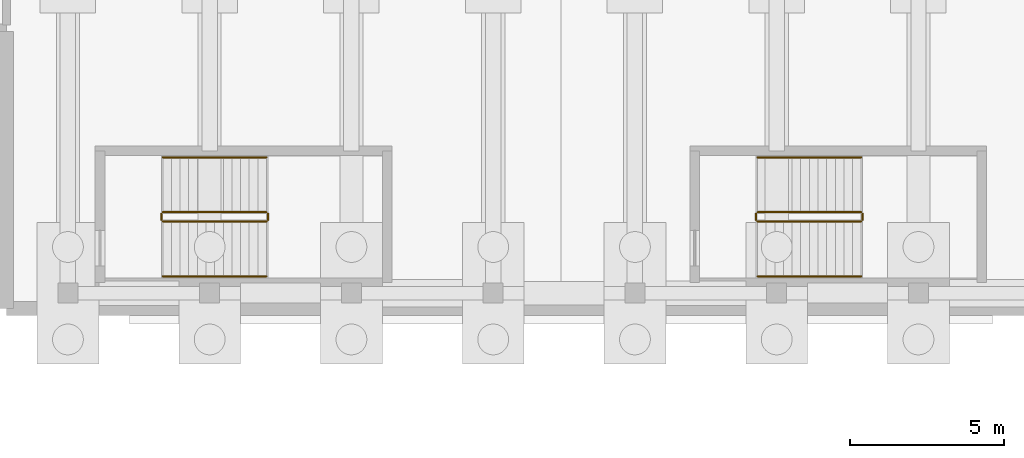
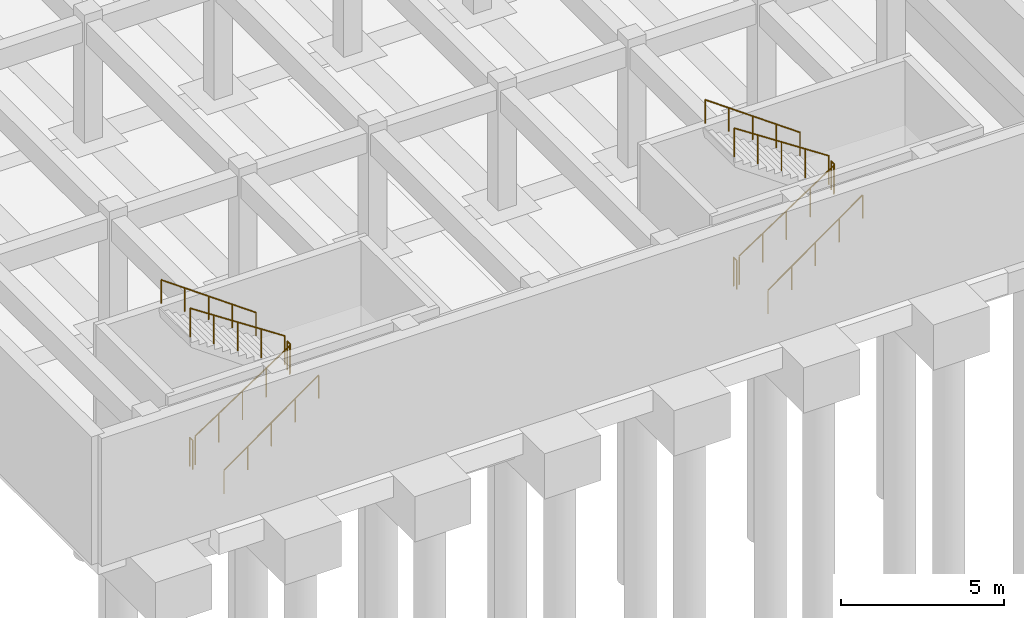
# One storey, part 46 of 48: 12 railings.
"""IFC4 building model written with IfcOpenShell, lengths in metres."""

from ifc_helpers import new_model, si_unit, direction, frame, origin, origin_2d, place, context, subcontext, project, spatial, circle, extrude, material, type_object, element, save


model = new_model("IFC4")

# Units and contexts
model_context = context("Model", 3, precision=1e-05, world=origin(), true_north=direction((0.0, 1.0)))
body_context = subcontext(model_context, "Body", "Model", "MODEL_VIEW")
ifc_project = project(units=[si_unit("LENGTHUNIT", "METRE"), si_unit("AREAUNIT", "SQUARE_METRE"), si_unit("VOLUMEUNIT", "CUBIC_METRE"), si_unit("PLANEANGLEUNIT", "RADIAN"), si_unit("MASSUNIT", "GRAM", prefix="KILO")], contexts=[model_context])

# Site, building, storey
site_placement = place(None, origin())
site = spatial("IfcSite", under=ifc_project, at=site_placement, CompositionType="ELEMENT")
building_placement = place(site_placement, origin())
building = spatial("IfcBuilding", under=site, at=building_placement, Name="Tlacozan Convention Centre", CompositionType="ELEMENT")
storey_placement = place(building_placement, frame((0.0, 0.0, -4.800048828125)))
storey = spatial("IfcBuildingStorey", under=building, at=storey_placement, Name="B01", CompositionType="ELEMENT", Elevation=-4.800048828125)

# Railings
ifc_material = material(Name="Architectural Painted Galvanised Steel Railing", Category="steel")
railing_type_1 = type_object("IfcRailingType", Name="Stair Wall Handrail 900", PredefinedType="HANDRAIL", material=ifc_material)
railing_1_placement = place(storey_placement, frame((168.3798828125, 19.050048828125, 0.1845703125)))
element("IfcRailing", 1, at=railing_1_placement, inside=storey, type_object=railing_type_1, Name="B01 ST-07 stair handrail 1", PredefinedType="HANDRAIL", context=body_context, shape_type="SweptSolid", body=[
    extrude(circle(Radius=0.02392578125, at=origin_2d()), frame((0.0, 0.0, 0.8759765625), z_axis=(0.813725481382, 0.0, 0.581249379312), x_axis=(0.0, 1.0, 0.0)), (0.0, 0.0, 1.0), 4.12939453125),
    extrude(circle(Radius=0.02099609375, at=origin_2d()), origin(), (0.0, 0.0, 1.0), 0.851806640625),
    extrude(circle(Radius=0.02099609375, at=origin_2d()), frame((0.840087890625, 0.0, 0.60009765625)), (0.0, 0.0, 1.0), 0.851806640625),
    extrude(circle(Radius=0.02099609375, at=origin_2d()), frame((1.68017578125, 0.0, 1.2001953125)), (0.0, 0.0, 1.0), 0.851806640625),
    extrude(circle(Radius=0.02099609375, at=origin_2d()), frame((2.52001953125, 0.0, 1.800048828125)), (0.0, 0.0, 1.0), 0.851806640625),
    extrude(circle(Radius=0.02099609375, at=origin_2d()), frame((3.360107421875, 0.0, 2.400146484375)), (0.0, 0.0, 1.0), 0.851806640625),
])
railing_2_placement = place(storey_placement, frame((171.739990234375, 22.909912109375, 2.584716796875)))
element("IfcRailing", 2, at=railing_2_placement, inside=storey, type_object=railing_type_1, Name="B01 ST-07 stair handrail 2", PredefinedType="HANDRAIL", context=body_context, shape_type="SweptSolid", body=[
    extrude(circle(Radius=0.02392578125, at=origin_2d()), frame((0.0, 0.0, 0.8759765625), z_axis=(-0.813753445783, 0.0, 0.581210228297), x_axis=(0.0, -1.0, 0.0)), (0.0, 0.0, 1.0), 4.129150390625),
    extrude(circle(Radius=0.02099609375, at=origin_2d()), origin(), (0.0, 0.0, 1.0), 0.851806640625),
    extrude(circle(Radius=0.02099609375, at=origin_2d()), frame((-0.840087890625, 0.0, 0.60009765625)), (0.0, 0.0, 1.0), 0.851806640625),
    extrude(circle(Radius=0.02099609375, at=origin_2d()), frame((-1.68017578125, 0.0, 1.199951171875)), (0.0, 0.0, 1.0), 0.851806640625),
    extrude(circle(Radius=0.02099609375, at=origin_2d()), frame((-2.52001953125, 0.0, 1.7998046875)), (0.0, 0.0, 1.0), 0.851806640625),
    extrude(circle(Radius=0.02099609375, at=origin_2d()), frame((-3.360107421875, 0.0, 2.39990234375)), (0.0, 0.0, 1.0), 0.851806640625),
])
railing_3_placement = place(storey_placement, frame((149.080078125, 19.050048828125, 0.1845703125)))
element("IfcRailing", 3, at=railing_3_placement, inside=storey, type_object=railing_type_1, Name="B01 ST-08 stair handrail 1", PredefinedType="HANDRAIL", context=body_context, shape_type="SweptSolid", body=[
    extrude(circle(Radius=0.02392578125, at=origin_2d()), frame((0.0, 0.0, 0.8759765625), z_axis=(0.813705504801, 0.0, 0.581277344696), x_axis=(0.0, 1.0, 0.0)), (0.0, 0.0, 1.0), 4.129150390625),
    extrude(circle(Radius=0.02099609375, at=origin_2d()), origin(), (0.0, 0.0, 1.0), 0.851806640625),
    extrude(circle(Radius=0.02099609375, at=origin_2d()), frame((0.83984375, 0.0, 0.60009765625)), (0.0, 0.0, 1.0), 0.851806640625),
    extrude(circle(Radius=0.02099609375, at=origin_2d()), frame((1.679931640625, 0.0, 1.2001953125)), (0.0, 0.0, 1.0), 0.851806640625),
    extrude(circle(Radius=0.02099609375, at=origin_2d()), frame((2.52001953125, 0.0, 1.800048828125)), (0.0, 0.0, 1.0), 0.851806640625),
    extrude(circle(Radius=0.02099609375, at=origin_2d()), frame((3.35986328125, 0.0, 2.400146484375)), (0.0, 0.0, 1.0), 0.851806640625),
])
railing_4_placement = place(storey_placement, frame((152.43994140625, 22.909912109375, 2.584716796875)))
element("IfcRailing", 4, at=railing_4_placement, inside=storey, type_object=railing_type_1, Name="B01 ST-08 stair handrail 2", PredefinedType="HANDRAIL", context=body_context, shape_type="SweptSolid", body=[
    extrude(circle(Radius=0.02392578125, at=origin_2d()), frame((0.0, 0.0, 0.8759765625), z_axis=(-0.813733471207, 0.0, 0.581238193719), x_axis=(0.0, -1.0, 0.0)), (0.0, 0.0, 1.0), 4.12890625),
    extrude(circle(Radius=0.02099609375, at=origin_2d()), origin(), (0.0, 0.0, 1.0), 0.851806640625),
    extrude(circle(Radius=0.02099609375, at=origin_2d()), frame((-0.83984375, 0.0, 0.60009765625)), (0.0, 0.0, 1.0), 0.851806640625),
    extrude(circle(Radius=0.02099609375, at=origin_2d()), frame((-1.679931640625, 0.0, 1.199951171875)), (0.0, 0.0, 1.0), 0.851806640625),
    extrude(circle(Radius=0.02099609375, at=origin_2d()), frame((-2.52001953125, 0.0, 1.7998046875)), (0.0, 0.0, 1.0), 0.851806640625),
    extrude(circle(Radius=0.02099609375, at=origin_2d()), frame((-3.35986328125, 0.0, 2.39990234375)), (0.0, 0.0, 1.0), 0.851806640625),
])
railing_type_2 = type_object("IfcRailingType", Name="Stair Well Guardrail 1100", PredefinedType="GUARDRAIL", material=ifc_material)
railing_5_placement = place(storey_placement, frame((168.3798828125, 20.830078125, 0.1845703125)))
element("IfcRailing", 5, at=railing_5_placement, inside=storey, type_object=railing_type_2, Name="B01 ST-07 stair guard 1", PredefinedType="GUARDRAIL", context=body_context, shape_type="SweptSolid", body=[
    extrude(circle(Radius=0.02392578125, at=origin_2d()), frame((0.0, 0.0, 1.076171875), z_axis=(0.834848600103, 0.0, 0.550479622607), x_axis=(0.0, 1.0, 0.0)), (0.0, 0.0, 1.0), 4.02490234375),
    extrude(circle(Radius=0.02099609375, at=origin_2d()), origin(), (0.0, 0.0, 1.0), 1.052001953125),
    extrude(circle(Radius=0.02099609375, at=origin_2d()), frame((0.840087890625, 0.0, 0.553955078125)), (0.0, 0.0, 1.0), 1.052001953125),
    extrude(circle(Radius=0.02099609375, at=origin_2d()), frame((1.68017578125, 0.0, 1.10791015625)), (0.0, 0.0, 1.0), 1.052001953125),
    extrude(circle(Radius=0.02099609375, at=origin_2d()), frame((2.52001953125, 0.0, 1.66162109375)), (0.0, 0.0, 1.0), 1.052001953125),
    extrude(circle(Radius=0.02099609375, at=origin_2d()), frame((3.360107421875, 0.0, 2.215576171875)), (0.0, 0.0, 1.0), 1.052001953125),
])
railing_6_placement = place(storey_placement, frame((171.7900390625, 20.8798828125, 2.400146484375)))
element("IfcRailing", 6, at=railing_6_placement, inside=storey, type_object=railing_type_2, Name="B01 ST-07 stair guard 2", PredefinedType="GUARDRAIL", context=body_context, shape_type="SweptSolid", body=[
    extrude(circle(Radius=0.02392578125, at=origin_2d()), frame((0.0, 0.0, 1.076171875), z_axis=(0.0, 1.0, 0.0), x_axis=(-1.0, 0.0, 0.0)), (0.0, 0.0, 1.0), 0.2001953125),
    extrude(circle(Radius=0.02099609375, at=origin_2d()), origin(), (0.0, 0.0, 1.0), 1.052001953125),
    extrude(circle(Radius=0.02099609375, at=origin_2d()), frame((0.0, 0.2001953125, 0.0)), (0.0, 0.0, 1.0), 1.052001953125),
])
railing_7_placement = place(storey_placement, frame((171.739990234375, 21.1298828125, 2.584716796875)))
element("IfcRailing", 7, at=railing_7_placement, inside=storey, type_object=railing_type_2, Name="B01 ST-07 stair guard 3", PredefinedType="GUARDRAIL", context=body_context, shape_type="SweptSolid", body=[
    extrude(circle(Radius=0.02392578125, at=origin_2d()), frame((0.0, 0.0, 1.076171875), z_axis=(-0.834876476806, 0.0, 0.550437342915), x_axis=(0.0, -1.0, 0.0)), (0.0, 0.0, 1.0), 4.024658203125),
    extrude(circle(Radius=0.02099609375, at=origin_2d()), origin(), (0.0, 0.0, 1.0), 1.052001953125),
    extrude(circle(Radius=0.02099609375, at=origin_2d()), frame((-0.840087890625, 0.0, 0.5537109375)), (0.0, 0.0, 1.0), 1.052001953125),
    extrude(circle(Radius=0.02099609375, at=origin_2d()), frame((-1.68017578125, 0.0, 1.107666015625)), (0.0, 0.0, 1.0), 1.052001953125),
    extrude(circle(Radius=0.02099609375, at=origin_2d()), frame((-2.52001953125, 0.0, 1.66162109375)), (0.0, 0.0, 1.0), 1.052001953125),
    extrude(circle(Radius=0.02099609375, at=origin_2d()), frame((-3.360107421875, 0.0, 2.21533203125)), (0.0, 0.0, 1.0), 1.052001953125),
])
railing_8_placement = place(storey_placement, frame((168.330078125, 20.8798828125, 0.0)))
element("IfcRailing", 8, at=railing_8_placement, inside=storey, type_object=railing_type_2, Name="B01 ST-07 stair guard 4", PredefinedType="GUARDRAIL", context=body_context, shape_type="SweptSolid", body=[
    extrude(circle(Radius=0.02392578125, at=origin_2d()), frame((0.0, 0.0, 1.076171875), z_axis=(0.0, 1.0, 0.0), x_axis=(-1.0, 0.0, 0.0)), (0.0, 0.0, 1.0), 0.2001953125),
    extrude(circle(Radius=0.02099609375, at=origin_2d()), origin(), (0.0, 0.0, 1.0), 1.052001953125),
    extrude(circle(Radius=0.02099609375, at=origin_2d()), frame((0.0, 0.2001953125, 0.0)), (0.0, 0.0, 1.0), 1.052001953125),
])
railing_9_placement = place(storey_placement, frame((149.080078125, 20.830078125, 0.1845703125)))
element("IfcRailing", 9, at=railing_9_placement, inside=storey, type_object=railing_type_2, Name="B01 ST-08 stair guard 1", PredefinedType="GUARDRAIL", context=body_context, shape_type="SweptSolid", body=[
    extrude(circle(Radius=0.02392578125, at=origin_2d()), frame((0.0, 0.0, 1.076171875), z_axis=(0.83483021737, 0.0, 0.550507500554), x_axis=(0.0, 1.0, 0.0)), (0.0, 0.0, 1.0), 4.024658203125),
    extrude(circle(Radius=0.02099609375, at=origin_2d()), origin(), (0.0, 0.0, 1.0), 1.052001953125),
    extrude(circle(Radius=0.02099609375, at=origin_2d()), frame((0.83984375, 0.0, 0.553955078125)), (0.0, 0.0, 1.0), 1.052001953125),
    extrude(circle(Radius=0.02099609375, at=origin_2d()), frame((1.679931640625, 0.0, 1.10791015625)), (0.0, 0.0, 1.0), 1.052001953125),
    extrude(circle(Radius=0.02099609375, at=origin_2d()), frame((2.52001953125, 0.0, 1.66162109375)), (0.0, 0.0, 1.0), 1.052001953125),
    extrude(circle(Radius=0.02099609375, at=origin_2d()), frame((3.35986328125, 0.0, 2.215576171875)), (0.0, 0.0, 1.0), 1.052001953125),
])
railing_10_placement = place(storey_placement, frame((152.489990234375, 20.8798828125, 2.400146484375)))
element("IfcRailing", 10, at=railing_10_placement, inside=storey, type_object=railing_type_2, Name="B01 ST-08 stair guard 2", PredefinedType="GUARDRAIL", context=body_context, shape_type="SweptSolid", body=[
    extrude(circle(Radius=0.02392578125, at=origin_2d()), frame((0.0, 0.0, 1.076171875), z_axis=(0.0, 1.0, 0.0), x_axis=(-1.0, 0.0, 0.0)), (0.0, 0.0, 1.0), 0.2001953125),
    extrude(circle(Radius=0.02099609375, at=origin_2d()), origin(), (0.0, 0.0, 1.0), 1.052001953125),
    extrude(circle(Radius=0.02099609375, at=origin_2d()), frame((0.0, 0.2001953125, 0.0)), (0.0, 0.0, 1.0), 1.052001953125),
])
railing_11_placement = place(storey_placement, frame((152.43994140625, 21.1298828125, 2.584716796875)))
element("IfcRailing", 11, at=railing_11_placement, inside=storey, type_object=railing_type_2, Name="B01 ST-08 stair guard 3", PredefinedType="GUARDRAIL", context=body_context, shape_type="SweptSolid", body=[
    extrude(circle(Radius=0.02392578125, at=origin_2d()), frame((0.0, 0.0, 1.076171875), z_axis=(-0.834858096282, 0.0, 0.550465220583), x_axis=(0.0, -1.0, 0.0)), (0.0, 0.0, 1.0), 4.0244140625),
    extrude(circle(Radius=0.02099609375, at=origin_2d()), origin(), (0.0, 0.0, 1.0), 1.052001953125),
    extrude(circle(Radius=0.02099609375, at=origin_2d()), frame((-0.83984375, 0.0, 0.5537109375)), (0.0, 0.0, 1.0), 1.052001953125),
    extrude(circle(Radius=0.02099609375, at=origin_2d()), frame((-1.679931640625, 0.0, 1.107666015625)), (0.0, 0.0, 1.0), 1.052001953125),
    extrude(circle(Radius=0.02099609375, at=origin_2d()), frame((-2.52001953125, 0.0, 1.66162109375)), (0.0, 0.0, 1.0), 1.052001953125),
    extrude(circle(Radius=0.02099609375, at=origin_2d()), frame((-3.35986328125, 0.0, 2.21533203125)), (0.0, 0.0, 1.0), 1.052001953125),
])
railing_12_placement = place(storey_placement, frame((149.030029296875, 20.8798828125, 0.0)))
element("IfcRailing", 12, at=railing_12_placement, inside=storey, type_object=railing_type_2, Name="B01 ST-08 stair guard 4", PredefinedType="GUARDRAIL", context=body_context, shape_type="SweptSolid", body=[
    extrude(circle(Radius=0.02392578125, at=origin_2d()), frame((0.0, 0.0, 1.076171875), z_axis=(0.0, 1.0, 0.0), x_axis=(-1.0, 0.0, 0.0)), (0.0, 0.0, 1.0), 0.2001953125),
    extrude(circle(Radius=0.02099609375, at=origin_2d()), origin(), (0.0, 0.0, 1.0), 1.052001953125),
    extrude(circle(Radius=0.02099609375, at=origin_2d()), frame((0.0, 0.2001953125, 0.0)), (0.0, 0.0, 1.0), 1.052001953125),
])

save(model, "model.ifc")
